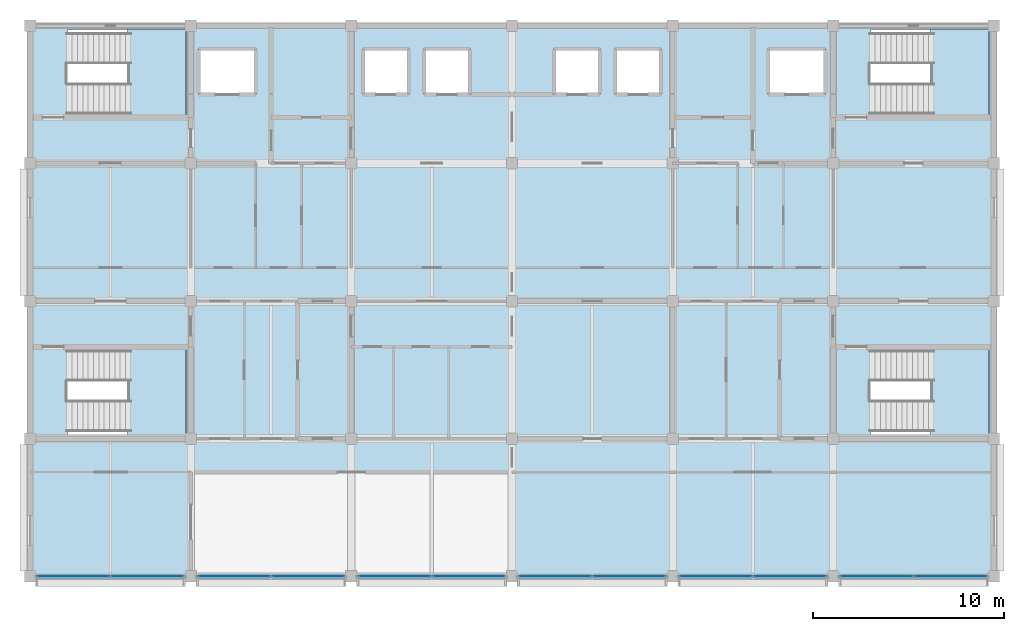
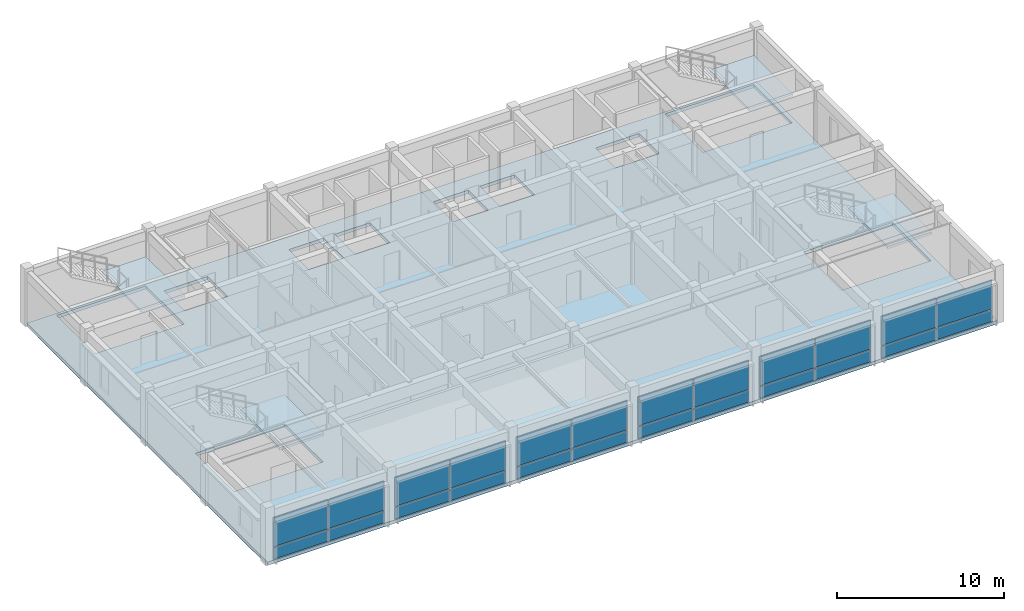
# One storey, part 5 of 13: 24 plates, 5 slabs, 10 elements without a shape of their own.
"""IFC4 building model written with IfcOpenShell, lengths in metres."""

from ifc_helpers import new_model, si_unit, direction, frame, origin, origin_2d, place, context, subcontext, project, spatial, polyline, rectangle, outline, extrude, material, layer, layer_set, type_object, element, aggregate, save


model = new_model("IFC4")

# Units and contexts
model_context = context("Model", 3, precision=1e-05, world=origin(), true_north=direction((0.0, 1.0)))
body_context = subcontext(model_context, "Body", "Model", "MODEL_VIEW")
ifc_project = project(units=[si_unit("LENGTHUNIT", "METRE"), si_unit("AREAUNIT", "SQUARE_METRE"), si_unit("VOLUMEUNIT", "CUBIC_METRE"), si_unit("PLANEANGLEUNIT", "RADIAN"), si_unit("MASSUNIT", "GRAM", prefix="KILO")], contexts=[model_context])

# Site, building, storey
site_placement = place(None, origin())
site = spatial("IfcSite", under=ifc_project, at=site_placement, CompositionType="ELEMENT")
building_placement = place(site_placement, origin())
building = spatial("IfcBuilding", under=site, at=building_placement, Name="Chengyuan Square Courthouse", CompositionType="ELEMENT")
storey_placement = place(building_placement, frame((0.0, 0.0, 64.5)))
storey = spatial("IfcBuildingStorey", under=building, at=storey_placement, Name="L15", CompositionType="ELEMENT", Elevation=64.5)

# Curtain wall, plates
ifc_material_1 = material(Name="Unitised Aluminium and Triple Low-E Glass", Category="aluminium")
ifc_layer_1 = layer(ifc_material_1, 0.199951171875)
ifc_layer_set_1 = layer_set([ifc_layer_1], Name="Unitised Aluminium and Triple Low-E Glass")
curtain_wall_type = type_object("IfcCurtainWallType", Name="CW-19", PredefinedType="USERDEFINED", material=ifc_layer_set_1)
curtain_wall_1_placement = place(storey_placement, origin())
curtain_wall_1 = element("IfcCurtainWall", 1, at=curtain_wall_1_placement, inside=storey, type_object=curtain_wall_type, Name="Unitised Curtain Wall CW-L15-276", ObjectType="UNITISED CURTAIN WALL", PredefinedType="USERDEFINED")
ifc_material_2 = material(Name="Triple Low-E Insulating Glass", Category="glass")
ifc_layer_2 = layer(ifc_material_2, 0.02392578125)
ifc_layer_set_2 = layer_set([ifc_layer_2], Name="Triple Low-E Insulating Glass")
plate_type = type_object("IfcPlateType", Name="CWP-01", PredefinedType="CURTAIN_PANEL", material=ifc_layer_set_2)
plate_1_placement = place(storey_placement, frame((61.0673828125, 79.199951171875, 0.06982421875), z_axis=(0.0, 0.0, 1.0), x_axis=(1.0, 0.0, 0.0)))
plate_1 = element("IfcPlate", 2, at=plate_1_placement, type_object=plate_type, Name="CW-19 panel 1.1", PredefinedType="CURTAIN_PANEL", context=body_context, shape_type="SweptSolid", body=[
    extrude(rectangle(XDim=3.794921875, YDim=0.02392578125, at=origin_2d()), origin(), (0.0, 0.0, 1.0), 0.844970703125),
])
plate_2_placement = place(storey_placement, frame((61.0673828125, 79.199951171875, 0.985107421875), z_axis=(0.0, 0.0, 1.0), x_axis=(1.0, 0.0, 0.0)))
plate_2 = element("IfcPlate", 3, at=plate_2_placement, type_object=plate_type, Name="CW-19 panel 1.2", PredefinedType="CURTAIN_PANEL", context=body_context, shape_type="SweptSolid", body=[
    extrude(rectangle(XDim=3.794921875, YDim=0.02392578125, at=origin_2d()), origin(), (0.0, 0.0, 1.0), 2.14501953125),
])
plate_3_placement = place(storey_placement, frame((64.9326171875, 79.199951171875, 0.06982421875), z_axis=(0.0, 0.0, 1.0), x_axis=(1.0, 0.0, 0.0)))
plate_3 = element("IfcPlate", 4, at=plate_3_placement, type_object=plate_type, Name="CW-19 panel 2.1", PredefinedType="CURTAIN_PANEL", context=body_context, shape_type="SweptSolid", body=[
    extrude(rectangle(XDim=3.794921875, YDim=0.02392578125, at=origin_2d()), origin(), (0.0, 0.0, 1.0), 0.844970703125),
])
plate_4_placement = place(storey_placement, frame((64.9326171875, 79.199951171875, 0.985107421875), z_axis=(0.0, 0.0, 1.0), x_axis=(1.0, 0.0, 0.0)))
plate_4 = element("IfcPlate", 5, at=plate_4_placement, type_object=plate_type, Name="CW-19 panel 2.2", PredefinedType="CURTAIN_PANEL", context=body_context, shape_type="SweptSolid", body=[
    extrude(rectangle(XDim=3.794921875, YDim=0.02392578125, at=origin_2d()), origin(), (0.0, 0.0, 1.0), 2.14501953125),
])
aggregate(curtain_wall_1, [plate_1, plate_2, plate_3, plate_4])

curtain_wall_2_placement = place(storey_placement, origin())
curtain_wall_2 = element("IfcCurtainWall", 6, at=curtain_wall_2_placement, inside=storey, type_object=curtain_wall_type, Name="Unitised Curtain Wall CW-L15-277", ObjectType="UNITISED CURTAIN WALL", PredefinedType="USERDEFINED")
plate_5_placement = place(storey_placement, frame((69.467529296875, 79.199951171875, 0.06982421875), z_axis=(0.0, 0.0, 1.0), x_axis=(1.0, 0.0, 0.0)))
plate_5 = element("IfcPlate", 7, at=plate_5_placement, type_object=plate_type, Name="CW-19 panel 1.1", PredefinedType="CURTAIN_PANEL", context=body_context, shape_type="SweptSolid", body=[
    extrude(rectangle(XDim=3.794921875, YDim=0.02392578125, at=origin_2d()), origin(), (0.0, 0.0, 1.0), 0.844970703125),
])
plate_6_placement = place(storey_placement, frame((69.467529296875, 79.199951171875, 0.985107421875), z_axis=(0.0, 0.0, 1.0), x_axis=(1.0, 0.0, 0.0)))
plate_6 = element("IfcPlate", 8, at=plate_6_placement, type_object=plate_type, Name="CW-19 panel 1.2", PredefinedType="CURTAIN_PANEL", context=body_context, shape_type="SweptSolid", body=[
    extrude(rectangle(XDim=3.794921875, YDim=0.02392578125, at=origin_2d()), origin(), (0.0, 0.0, 1.0), 2.14501953125),
])
plate_7_placement = place(storey_placement, frame((73.33251953125, 79.199951171875, 0.06982421875), z_axis=(0.0, 0.0, 1.0), x_axis=(1.0, 0.0, 0.0)))
plate_7 = element("IfcPlate", 9, at=plate_7_placement, type_object=plate_type, Name="CW-19 panel 2.1", PredefinedType="CURTAIN_PANEL", context=body_context, shape_type="SweptSolid", body=[
    extrude(rectangle(XDim=3.794921875, YDim=0.02392578125, at=origin_2d()), origin(), (0.0, 0.0, 1.0), 0.844970703125),
])
plate_8_placement = place(storey_placement, frame((73.33251953125, 79.199951171875, 0.985107421875), z_axis=(0.0, 0.0, 1.0), x_axis=(1.0, 0.0, 0.0)))
plate_8 = element("IfcPlate", 10, at=plate_8_placement, type_object=plate_type, Name="CW-19 panel 2.2", PredefinedType="CURTAIN_PANEL", context=body_context, shape_type="SweptSolid", body=[
    extrude(rectangle(XDim=3.794921875, YDim=0.02392578125, at=origin_2d()), origin(), (0.0, 0.0, 1.0), 2.14501953125),
])
aggregate(curtain_wall_2, [plate_5, plate_6, plate_7, plate_8])

curtain_wall_3_placement = place(storey_placement, origin())
curtain_wall_3 = element("IfcCurtainWall", 11, at=curtain_wall_3_placement, inside=storey, type_object=curtain_wall_type, Name="Unitised Curtain Wall CW-L15-278", ObjectType="UNITISED CURTAIN WALL", PredefinedType="USERDEFINED")
plate_9_placement = place(storey_placement, frame((77.867431640625, 79.199951171875, 0.06982421875), z_axis=(0.0, 0.0, 1.0), x_axis=(1.0, 0.0, 0.0)))
plate_9 = element("IfcPlate", 12, at=plate_9_placement, type_object=plate_type, Name="CW-19 panel 1.1", PredefinedType="CURTAIN_PANEL", context=body_context, shape_type="SweptSolid", body=[
    extrude(rectangle(XDim=3.794921875, YDim=0.02392578125, at=origin_2d()), origin(), (0.0, 0.0, 1.0), 0.844970703125),
])
plate_10_placement = place(storey_placement, frame((77.867431640625, 79.199951171875, 0.985107421875), z_axis=(0.0, 0.0, 1.0), x_axis=(1.0, 0.0, 0.0)))
plate_10 = element("IfcPlate", 13, at=plate_10_placement, type_object=plate_type, Name="CW-19 panel 1.2", PredefinedType="CURTAIN_PANEL", context=body_context, shape_type="SweptSolid", body=[
    extrude(rectangle(XDim=3.794921875, YDim=0.02392578125, at=origin_2d()), origin(), (0.0, 0.0, 1.0), 2.14501953125),
])
plate_11_placement = place(storey_placement, frame((81.732421875, 79.199951171875, 0.06982421875), z_axis=(0.0, 0.0, 1.0), x_axis=(1.0, 0.0, 0.0)))
plate_11 = element("IfcPlate", 14, at=plate_11_placement, type_object=plate_type, Name="CW-19 panel 2.1", PredefinedType="CURTAIN_PANEL", context=body_context, shape_type="SweptSolid", body=[
    extrude(rectangle(XDim=3.794921875, YDim=0.02392578125, at=origin_2d()), origin(), (0.0, 0.0, 1.0), 0.844970703125),
])
plate_12_placement = place(storey_placement, frame((81.732421875, 79.199951171875, 0.985107421875), z_axis=(0.0, 0.0, 1.0), x_axis=(1.0, 0.0, 0.0)))
plate_12 = element("IfcPlate", 15, at=plate_12_placement, type_object=plate_type, Name="CW-19 panel 2.2", PredefinedType="CURTAIN_PANEL", context=body_context, shape_type="SweptSolid", body=[
    extrude(rectangle(XDim=3.794921875, YDim=0.02392578125, at=origin_2d()), origin(), (0.0, 0.0, 1.0), 2.14501953125),
])
aggregate(curtain_wall_3, [plate_9, plate_10, plate_11, plate_12])

curtain_wall_4_placement = place(storey_placement, origin())
curtain_wall_4 = element("IfcCurtainWall", 16, at=curtain_wall_4_placement, inside=storey, type_object=curtain_wall_type, Name="Unitised Curtain Wall CW-L15-279", ObjectType="UNITISED CURTAIN WALL", PredefinedType="USERDEFINED")
plate_13_placement = place(storey_placement, frame((86.267578125, 79.199951171875, 0.06982421875), z_axis=(0.0, 0.0, 1.0), x_axis=(1.0, 0.0, 0.0)))
plate_13 = element("IfcPlate", 17, at=plate_13_placement, type_object=plate_type, Name="CW-19 panel 1.1", PredefinedType="CURTAIN_PANEL", context=body_context, shape_type="SweptSolid", body=[
    extrude(rectangle(XDim=3.794921875, YDim=0.02392578125, at=origin_2d()), origin(), (0.0, 0.0, 1.0), 0.844970703125),
])
plate_14_placement = place(storey_placement, frame((86.267578125, 79.199951171875, 0.985107421875), z_axis=(0.0, 0.0, 1.0), x_axis=(1.0, 0.0, 0.0)))
plate_14 = element("IfcPlate", 18, at=plate_14_placement, type_object=plate_type, Name="CW-19 panel 1.2", PredefinedType="CURTAIN_PANEL", context=body_context, shape_type="SweptSolid", body=[
    extrude(rectangle(XDim=3.794921875, YDim=0.02392578125, at=origin_2d()), origin(), (0.0, 0.0, 1.0), 2.14501953125),
])
plate_15_placement = place(storey_placement, frame((90.132568359375, 79.199951171875, 0.06982421875), z_axis=(0.0, 0.0, 1.0), x_axis=(1.0, 0.0, 0.0)))
plate_15 = element("IfcPlate", 19, at=plate_15_placement, type_object=plate_type, Name="CW-19 panel 2.1", PredefinedType="CURTAIN_PANEL", context=body_context, shape_type="SweptSolid", body=[
    extrude(rectangle(XDim=3.794921875, YDim=0.02392578125, at=origin_2d()), origin(), (0.0, 0.0, 1.0), 0.844970703125),
])
plate_16_placement = place(storey_placement, frame((90.132568359375, 79.199951171875, 0.985107421875), z_axis=(0.0, 0.0, 1.0), x_axis=(1.0, 0.0, 0.0)))
plate_16 = element("IfcPlate", 20, at=plate_16_placement, type_object=plate_type, Name="CW-19 panel 2.2", PredefinedType="CURTAIN_PANEL", context=body_context, shape_type="SweptSolid", body=[
    extrude(rectangle(XDim=3.794921875, YDim=0.02392578125, at=origin_2d()), origin(), (0.0, 0.0, 1.0), 2.14501953125),
])
aggregate(curtain_wall_4, [plate_13, plate_14, plate_15, plate_16])

curtain_wall_5_placement = place(storey_placement, origin())
curtain_wall_5 = element("IfcCurtainWall", 21, at=curtain_wall_5_placement, inside=storey, type_object=curtain_wall_type, Name="Unitised Curtain Wall CW-L15-280", ObjectType="UNITISED CURTAIN WALL", PredefinedType="USERDEFINED")
plate_17_placement = place(storey_placement, frame((94.66748046875, 79.199951171875, 0.06982421875), z_axis=(0.0, 0.0, 1.0), x_axis=(1.0, 0.0, 0.0)))
plate_17 = element("IfcPlate", 22, at=plate_17_placement, type_object=plate_type, Name="CW-19 panel 1.1", PredefinedType="CURTAIN_PANEL", context=body_context, shape_type="SweptSolid", body=[
    extrude(rectangle(XDim=3.794921875, YDim=0.02392578125, at=origin_2d()), origin(), (0.0, 0.0, 1.0), 0.844970703125),
])
plate_18_placement = place(storey_placement, frame((94.66748046875, 79.199951171875, 0.985107421875), z_axis=(0.0, 0.0, 1.0), x_axis=(1.0, 0.0, 0.0)))
plate_18 = element("IfcPlate", 23, at=plate_18_placement, type_object=plate_type, Name="CW-19 panel 1.2", PredefinedType="CURTAIN_PANEL", context=body_context, shape_type="SweptSolid", body=[
    extrude(rectangle(XDim=3.794921875, YDim=0.02392578125, at=origin_2d()), origin(), (0.0, 0.0, 1.0), 2.14501953125),
])
plate_19_placement = place(storey_placement, frame((98.532470703125, 79.199951171875, 0.06982421875), z_axis=(0.0, 0.0, 1.0), x_axis=(1.0, 0.0, 0.0)))
plate_19 = element("IfcPlate", 24, at=plate_19_placement, type_object=plate_type, Name="CW-19 panel 2.1", PredefinedType="CURTAIN_PANEL", context=body_context, shape_type="SweptSolid", body=[
    extrude(rectangle(XDim=3.794921875, YDim=0.02392578125, at=origin_2d()), origin(), (0.0, 0.0, 1.0), 0.844970703125),
])
plate_20_placement = place(storey_placement, frame((98.532470703125, 79.199951171875, 0.985107421875), z_axis=(0.0, 0.0, 1.0), x_axis=(1.0, 0.0, 0.0)))
plate_20 = element("IfcPlate", 25, at=plate_20_placement, type_object=plate_type, Name="CW-19 panel 2.2", PredefinedType="CURTAIN_PANEL", context=body_context, shape_type="SweptSolid", body=[
    extrude(rectangle(XDim=3.794921875, YDim=0.02392578125, at=origin_2d()), origin(), (0.0, 0.0, 1.0), 2.14501953125),
])
aggregate(curtain_wall_5, [plate_17, plate_18, plate_19, plate_20])

curtain_wall_6_placement = place(storey_placement, origin())
curtain_wall_6 = element("IfcCurtainWall", 26, at=curtain_wall_6_placement, inside=storey, type_object=curtain_wall_type, Name="Unitised Curtain Wall CW-L15-281", ObjectType="UNITISED CURTAIN WALL", PredefinedType="USERDEFINED")
plate_21_placement = place(storey_placement, frame((103.0673828125, 79.199951171875, 0.06982421875), z_axis=(0.0, 0.0, 1.0), x_axis=(1.0, 0.0, 0.0)))
plate_21 = element("IfcPlate", 27, at=plate_21_placement, type_object=plate_type, Name="CW-19 panel 1.1", PredefinedType="CURTAIN_PANEL", context=body_context, shape_type="SweptSolid", body=[
    extrude(rectangle(XDim=3.794921875, YDim=0.02392578125, at=origin_2d()), origin(), (0.0, 0.0, 1.0), 0.844970703125),
])
plate_22_placement = place(storey_placement, frame((103.0673828125, 79.199951171875, 0.985107421875), z_axis=(0.0, 0.0, 1.0), x_axis=(1.0, 0.0, 0.0)))
plate_22 = element("IfcPlate", 28, at=plate_22_placement, type_object=plate_type, Name="CW-19 panel 1.2", PredefinedType="CURTAIN_PANEL", context=body_context, shape_type="SweptSolid", body=[
    extrude(rectangle(XDim=3.794921875, YDim=0.02392578125, at=origin_2d()), origin(), (0.0, 0.0, 1.0), 2.14501953125),
])
plate_23_placement = place(storey_placement, frame((106.9326171875, 79.199951171875, 0.06982421875), z_axis=(0.0, 0.0, 1.0), x_axis=(1.0, 0.0, 0.0)))
plate_23 = element("IfcPlate", 29, at=plate_23_placement, type_object=plate_type, Name="CW-19 panel 2.1", PredefinedType="CURTAIN_PANEL", context=body_context, shape_type="SweptSolid", body=[
    extrude(rectangle(XDim=3.794921875, YDim=0.02392578125, at=origin_2d()), origin(), (0.0, 0.0, 1.0), 0.844970703125),
])
plate_24_placement = place(storey_placement, frame((106.9326171875, 79.199951171875, 0.985107421875), z_axis=(0.0, 0.0, 1.0), x_axis=(1.0, 0.0, 0.0)))
plate_24 = element("IfcPlate", 30, at=plate_24_placement, type_object=plate_type, Name="CW-19 panel 2.2", PredefinedType="CURTAIN_PANEL", context=body_context, shape_type="SweptSolid", body=[
    extrude(rectangle(XDim=3.794921875, YDim=0.02392578125, at=origin_2d()), origin(), (0.0, 0.0, 1.0), 2.14501953125),
])
aggregate(curtain_wall_6, [plate_21, plate_22, plate_23, plate_24])

# Stair, slab
ifc_material_3 = material(Name="Concrete C40", Category="concrete")
stair_type_1 = type_object("IfcStairType", Name="ST-TYPE-01", PredefinedType="HALF_TURN_STAIR", material=ifc_material_3)
stair_1_placement = place(storey_placement, origin())
stair_1 = element("IfcStair", 31, at=stair_1_placement, inside=storey, type_object=stair_type_1, Name="Smoke-Proof Exit Stair ST-1 (L15 to L16)", PredefinedType="HALF_TURN_STAIR")
ifc_layer_3 = layer(ifc_material_3, 0.179931640625)
ifc_layer_set_3 = layer_set([ifc_layer_3], Name="Concrete C40")
slab_type_1 = type_object("IfcSlabType", Name="SL-LND2", PredefinedType="LANDING", material=ifc_layer_set_3)
slab_1_placement = place(storey_placement, frame((0.0, 0.0, 1.919921875)))
slab_1 = element("IfcSlab", 32, at=slab_1_placement, type_object=slab_type_1, Name="ST-1 landing 1", PredefinedType="LANDING", context=body_context, shape_type="SweptSolid", body=[
    extrude(outline(polyline([(63.889892578125, 103.159912109375), (66.93994140625, 103.159912109375), (66.93994140625, 107.840087890625), (63.889892578125, 107.840087890625), (63.889892578125, 103.159912109375)])), origin(), (0.0, 0.0, 1.0), 0.18017578125),
])
aggregate(stair_1, [slab_1])

stair_type_2 = type_object("IfcStairType", Name="ST-TYPE-02", PredefinedType="HALF_TURN_STAIR", material=ifc_material_3)
stair_2_placement = place(storey_placement, origin())
stair_2 = element("IfcStair", 33, at=stair_2_placement, inside=storey, type_object=stair_type_2, Name="Smoke-Proof Exit Stair ST-2 (L15 to L16)", PredefinedType="HALF_TURN_STAIR")
slab_2_placement = place(storey_placement, frame((0.0, 0.0, 1.919921875)))
slab_2 = element("IfcSlab", 34, at=slab_2_placement, type_object=slab_type_1, Name="ST-2 landing 1", PredefinedType="LANDING", context=body_context, shape_type="SweptSolid", body=[
    extrude(outline(polyline([(105.889892578125, 103.159912109375), (108.93994140625, 103.159912109375), (108.93994140625, 107.840087890625), (105.889892578125, 107.840087890625), (105.889892578125, 103.159912109375)])), origin(), (0.0, 0.0, 1.0), 0.18017578125),
])
aggregate(stair_2, [slab_2])

stair_type_3 = type_object("IfcStairType", Name="ST-TYPE-03", PredefinedType="HALF_TURN_STAIR", material=ifc_material_3)
stair_3_placement = place(storey_placement, origin())
stair_3 = element("IfcStair", 35, at=stair_3_placement, inside=storey, type_object=stair_type_3, Name="Smoke-Proof Exit Stair ST-3 (L15 to L16)", PredefinedType="HALF_TURN_STAIR")
slab_3_placement = place(storey_placement, frame((0.0, 0.0, 1.919921875)))
slab_3 = element("IfcSlab", 36, at=slab_3_placement, type_object=slab_type_1, Name="ST-3 landing 1", PredefinedType="LANDING", context=body_context, shape_type="SweptSolid", body=[
    extrude(outline(polyline([(63.889892578125, 86.56005859375), (66.93994140625, 86.56005859375), (66.93994140625, 91.239990234375), (63.889892578125, 91.239990234375), (63.889892578125, 86.56005859375)])), origin(), (0.0, 0.0, 1.0), 0.18017578125),
])
aggregate(stair_3, [slab_3])

stair_type_4 = type_object("IfcStairType", Name="ST-TYPE-04", PredefinedType="HALF_TURN_STAIR", material=ifc_material_3)
stair_4_placement = place(storey_placement, origin())
stair_4 = element("IfcStair", 37, at=stair_4_placement, inside=storey, type_object=stair_type_4, Name="Smoke-Proof Exit Stair ST-4 (L15 to L16)", PredefinedType="HALF_TURN_STAIR")
slab_4_placement = place(storey_placement, frame((0.0, 0.0, 1.919921875)))
slab_4 = element("IfcSlab", 38, at=slab_4_placement, type_object=slab_type_1, Name="ST-4 landing 1", PredefinedType="LANDING", context=body_context, shape_type="SweptSolid", body=[
    extrude(outline(polyline([(105.889892578125, 86.56005859375), (108.93994140625, 86.56005859375), (108.93994140625, 91.239990234375), (105.889892578125, 91.239990234375), (105.889892578125, 86.56005859375)])), origin(), (0.0, 0.0, 1.0), 0.18017578125),
])
aggregate(stair_4, [slab_4])

# Slab
ifc_layer_4 = layer(ifc_material_3, 0.239990234375)
ifc_layer_set_4 = layer_set([ifc_layer_4], Name="Concrete C40")
slab_type_2 = type_object("IfcSlabType", Name="SL-RC24", PredefinedType="FLOOR", material=ifc_layer_set_4)
slab_5_placement = place(storey_placement, frame((0.0, 0.0, -0.239990234375)))
element("IfcSlab", 39, at=slab_5_placement, inside=storey, type_object=slab_type_2, Name="Suspended Floor Slab SL-L15-01", PredefinedType="FLOOR", context=body_context, shape_type="SweptSolid", body=[
    extrude(outline(polyline([(67.199951171875, 108.0), (75.60009765625, 108.0), (84.0, 108.0), (92.39990234375, 108.0), (100.800048828125, 108.0), (109.199951171875, 108.0), (109.199951171875, 100.800048828125), (109.199951171875, 93.60009765625), (109.199951171875, 86.39990234375), (109.199951171875, 79.199951171875), (100.800048828125, 79.199951171875), (92.39990234375, 79.199951171875), (84.0, 79.199951171875), (75.60009765625, 79.199951171875), (67.199951171875, 79.199951171875), (58.800048828125, 79.199951171875), (58.800048828125, 86.39990234375), (58.800048828125, 93.60009765625), (58.800048828125, 100.800048828125), (58.800048828125, 108.0), (67.199951171875, 108.0)]), holes=[polyline([(60.75, 86.60009765625), (66.89990234375, 86.60009765625), (66.89990234375, 91.199951171875), (60.75, 91.199951171875), (60.75, 86.60009765625)]), polyline([(102.75, 86.60009765625), (108.89990234375, 86.60009765625), (108.89990234375, 91.199951171875), (102.75, 91.199951171875), (102.75, 86.60009765625)]), polyline([(60.75, 103.199951171875), (66.89990234375, 103.199951171875), (66.89990234375, 107.800048828125), (60.75, 107.800048828125), (60.75, 103.199951171875)]), polyline([(102.75, 107.800048828125), (102.75, 103.199951171875), (108.89990234375, 103.199951171875), (108.89990234375, 107.800048828125), (102.75, 107.800048828125)]), polyline([(67.60009765625, 106.800048828125), (67.60009765625, 104.39990234375), (70.60009765625, 104.39990234375), (70.60009765625, 106.800048828125), (67.60009765625, 106.800048828125)]), polyline([(76.199951171875, 104.39990234375), (78.60009765625, 104.39990234375), (78.60009765625, 106.800048828125), (76.199951171875, 106.800048828125), (76.199951171875, 104.39990234375)]), polyline([(79.39990234375, 104.39990234375), (81.800048828125, 104.39990234375), (81.800048828125, 106.800048828125), (79.39990234375, 106.800048828125), (79.39990234375, 104.39990234375)]), polyline([(86.199951171875, 104.39990234375), (88.60009765625, 104.39990234375), (88.60009765625, 106.800048828125), (86.199951171875, 106.800048828125), (86.199951171875, 104.39990234375)]), polyline([(89.39990234375, 106.800048828125), (89.39990234375, 104.39990234375), (91.800048828125, 104.39990234375), (91.800048828125, 106.800048828125), (89.39990234375, 106.800048828125)]), polyline([(97.39990234375, 106.800048828125), (97.39990234375, 104.39990234375), (100.39990234375, 104.39990234375), (100.39990234375, 106.800048828125), (97.39990234375, 106.800048828125)])]), origin(), (0.0, 0.0, 1.0), 0.239990234375),
])

save(model, "model.ifc")
